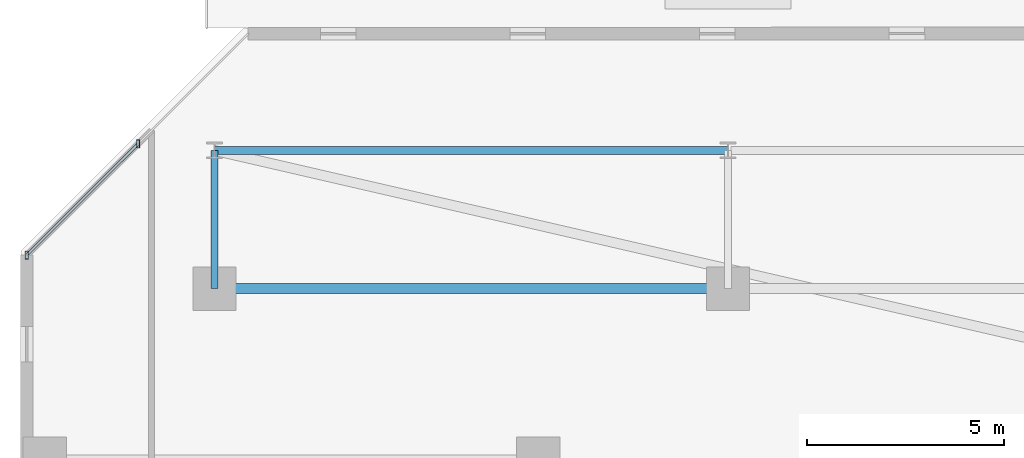
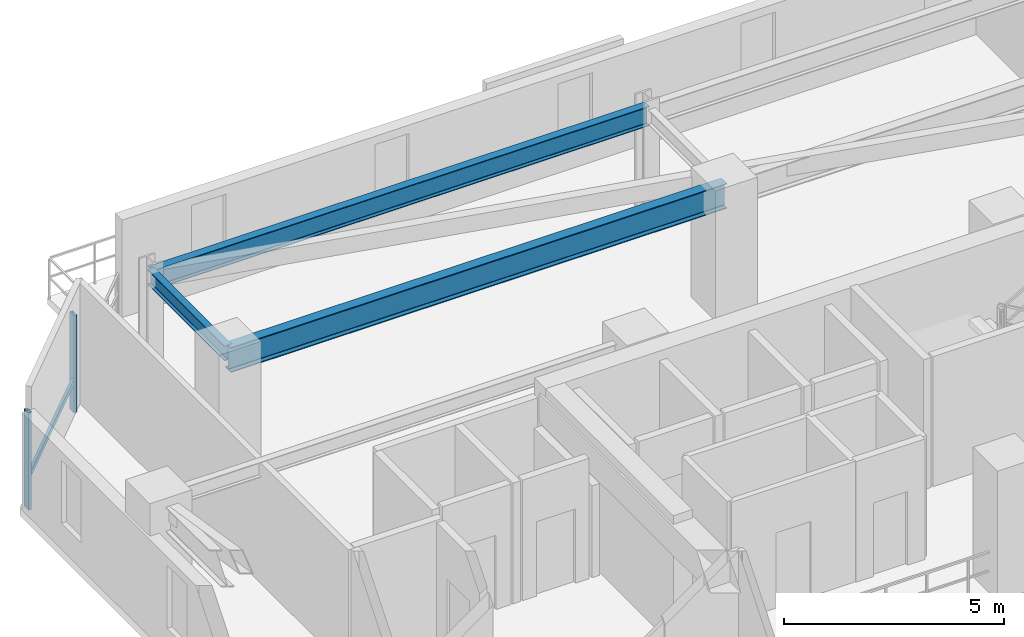
# One storey, part 8 of 32: 3 beams, 3 members, 1 element without a shape of its own.
"""IFC4 building model written with IfcOpenShell, lengths in metres."""

from ifc_helpers import new_model, si_unit, direction, frame, origin, origin_2d, place, context, subcontext, project, spatial, hollow_rectangle, i_section, extrude, material, material_profile, profile_set, type_object, element, aggregate, save


model = new_model("IFC4")

# Units and contexts
model_context = context("Model", 3, precision=1e-05, world=origin(), true_north=direction((0.0, 1.0)))
body_context = subcontext(model_context, "Body", "Model", "MODEL_VIEW")
ifc_project = project(units=[si_unit("LENGTHUNIT", "METRE"), si_unit("AREAUNIT", "SQUARE_METRE"), si_unit("VOLUMEUNIT", "CUBIC_METRE"), si_unit("PLANEANGLEUNIT", "RADIAN"), si_unit("MASSUNIT", "GRAM", prefix="KILO")], contexts=[model_context])

# Site, building, storey
site_placement = place(None, origin())
site = spatial("IfcSite", under=ifc_project, at=site_placement, CompositionType="ELEMENT")
building_placement = place(site_placement, origin())
building = spatial("IfcBuilding", under=site, at=building_placement, Name="Thornwick Lancets Civic Towers", CompositionType="ELEMENT")
storey_placement = place(building_placement, frame((0.0, 0.0, 182.10009765625)))
storey = spatial("IfcBuildingStorey", under=building, at=storey_placement, Name="L48", CompositionType="ELEMENT", Elevation=182.10009765625)

# Beams
ifc_material_1 = material(Name="Steel S355JR", Category="steel")
ifc_material_profile_1 = material_profile(ifc_material_1, i_section(OverallWidth=0.210693359375, OverallDepth=0.53955078125, WebThickness=0.01171875, FlangeThickness=0.018798828125, FilletRadius=0.0126953125, at=origin_2d()), Name="UKB 533x210x109")
ifc_profile_set_1 = profile_set([ifc_material_profile_1], Name="Steel S355JR")
beam_type_1 = type_object("IfcBeamType", Name="BM_EDGE_533_109", PredefinedType="SPANDREL", material=ifc_profile_set_1)
beam_1_placement = place(storey_placement, frame((12.5, 47.800048828125, 3.090087890625), z_axis=(1.0, 0.0, 0.0), x_axis=(0.0, 1.0, 0.0)))
element("IfcBeam", 1, at=beam_1_placement, inside=storey, type_object=beam_type_1, Name="BM-EDGE-L48-A-S2-1", PredefinedType="SPANDREL", context=body_context, shape_type="SweptSolid", body=[
    extrude(i_section(OverallWidth=0.210693359375, OverallDepth=0.53955078125, WebThickness=0.01171875, FlangeThickness=0.018798828125, FilletRadius=0.0126953125, at=origin_2d()), origin(), (0.0, 0.0, 1.0), 13.0),
])
ifc_material_profile_2 = material_profile(ifc_material_1, i_section(OverallWidth=0.255859375, OverallDepth=0.69287109375, WebThickness=0.014404296875, FlangeThickness=0.023681640625, FilletRadius=0.01513671875, at=origin_2d()), Name="UKB 686x254x170")
ifc_profile_set_2 = profile_set([ifc_material_profile_2], Name="Steel S355JR")
beam_type_2 = type_object("IfcBeamType", Name="BM_GIRD_686_170", PredefinedType="BEAM", material=ifc_profile_set_2)
beam_2_placement = place(storey_placement, frame((12.5, 44.300048828125, 3.013427734375), z_axis=(1.0, 0.0, 0.0), x_axis=(0.0, 1.0, 0.0)))
element("IfcBeam", 2, at=beam_2_placement, inside=storey, type_object=beam_type_2, Name="BM-SPINE-L48-A-6-7", PredefinedType="BEAM", context=body_context, shape_type="SweptSolid", body=[
    extrude(i_section(OverallWidth=0.255859375, OverallDepth=0.69287109375, WebThickness=0.014404296875, FlangeThickness=0.023681640625, FilletRadius=0.01513671875, at=origin_2d()), origin(), (0.0, 0.0, 1.0), 13.0),
])
ifc_material_profile_3 = material_profile(ifc_material_1, i_section(OverallWidth=0.179443359375, OverallDepth=0.412841796875, WebThickness=0.009521484375, FlangeThickness=0.01611328125, FilletRadius=0.01025390625, at=origin_2d()), Name="UKB 406x178x74")
ifc_profile_set_3 = profile_set([ifc_material_profile_3], Name="Steel S355JR")
beam_type_3 = type_object("IfcBeamType", Name="BM_JOIST_406_74", PredefinedType="JOIST", material=ifc_profile_set_3)
beam_3_placement = place(storey_placement, frame((12.5, 44.300048828125, 3.153564453125), z_axis=(0.0, 1.0, 0.0), x_axis=(-1.0, 0.0, 0.0)))
element("IfcBeam", 3, at=beam_3_placement, inside=storey, type_object=beam_type_3, Name="BM-RAD-L48-A07", PredefinedType="JOIST", context=body_context, shape_type="SweptSolid", body=[
    extrude(i_section(OverallWidth=0.179443359375, OverallDepth=0.412841796875, WebThickness=0.009521484375, FlangeThickness=0.01611328125, FilletRadius=0.01025390625, at=origin_2d()), origin(), (0.0, 0.0, 1.0), 3.5),
])

# Curtain wall, members
ifc_material_2 = material(Name="Mid-zone chamfered-corner unitised glass curtain wall", Category="glass")
curtain_wall_type = type_object("IfcCurtainWallType", Name="CW_SYS_04", PredefinedType="NOTDEFINED", material=ifc_material_2)
curtain_wall_placement = place(storey_placement, origin())
curtain_wall = element("IfcCurtainWall", 4, at=curtain_wall_placement, inside=storey, type_object=curtain_wall_type, Name="L48 Curtain Wall CW-L48-A-E5", PredefinedType="NOTDEFINED")
ifc_material_3 = material(Name="Thermally broken bronze aluminium S355", Category="steel")
ifc_material_profile_4 = material_profile(ifc_material_3, hollow_rectangle(XDim=0.080078125, YDim=0.199951171875, WallThickness=0.006103515625, at=origin_2d()), Name="RHS 200x80x6")
ifc_profile_set_4 = profile_set([ifc_material_profile_4], Name="Thermally broken bronze aluminium S355")
member_type_1 = type_object("IfcMemberType", Name="CW_MUL_200", PredefinedType="MULLION", material=ifc_profile_set_4)
member_1_placement = place(storey_placement, frame((10.56494140625, 47.96728515625, 0.0), z_axis=(0.0, 0.0, 1.0), x_axis=(1.0, 0.0, 0.0)))
member_1 = element("IfcMember", 5, at=member_1_placement, type_object=member_type_1, Name="CW-L48-A-E5 Mullion 0", PredefinedType="MULLION", context=body_context, shape_type="SweptSolid", body=[
    extrude(hollow_rectangle(XDim=0.080078125, YDim=0.199951171875, WallThickness=0.006103515625, at=origin_2d()), origin(), (0.0, 0.0, 1.0), 2.699951171875),
])
member_2_placement = place(storey_placement, frame((7.745361328125, 45.14794921875, 0.0), z_axis=(0.0, 0.0, 1.0), x_axis=(1.0, 0.0, 0.0)))
member_2 = element("IfcMember", 6, at=member_2_placement, type_object=member_type_1, Name="CW-L48-A-E5 Mullion 1", PredefinedType="MULLION", context=body_context, shape_type="SweptSolid", body=[
    extrude(hollow_rectangle(XDim=0.080078125, YDim=0.199951171875, WallThickness=0.006103515625, at=origin_2d()), origin(), (0.0, 0.0, 1.0), 2.699951171875),
])
ifc_material_profile_5 = material_profile(ifc_material_3, hollow_rectangle(XDim=0.074951171875, YDim=0.14990234375, WallThickness=0.0048828125, at=origin_2d()), Name="RHS 150x75x5")
ifc_profile_set_5 = profile_set([ifc_material_profile_5], Name="Thermally broken bronze aluminium S355")
member_type_2 = type_object("IfcMemberType", Name="CW_TRN_150", PredefinedType="USERDEFINED", material=ifc_profile_set_5)
member_3_placement = place(storey_placement, frame((10.55078125, 47.953125, 0.849853515625), z_axis=(-0.707137705801, -0.707075855219, 0.0), x_axis=(0.707075855219, -0.707137705801, 0.0)))
member_3 = element("IfcMember", 7, at=member_3_placement, type_object=member_type_2, Name="CW-L48-A-E5 Transom 0", ObjectType="TRANSOM", PredefinedType="USERDEFINED", context=body_context, shape_type="SweptSolid", body=[
    extrude(hollow_rectangle(XDim=0.074951171875, YDim=0.14990234375, WallThickness=0.0048828125, at=origin_2d()), origin(), (0.0, 0.0, 1.0), 3.947265625),
])
aggregate(curtain_wall, [member_1, member_2, member_3])

save(model, "model.ifc")
